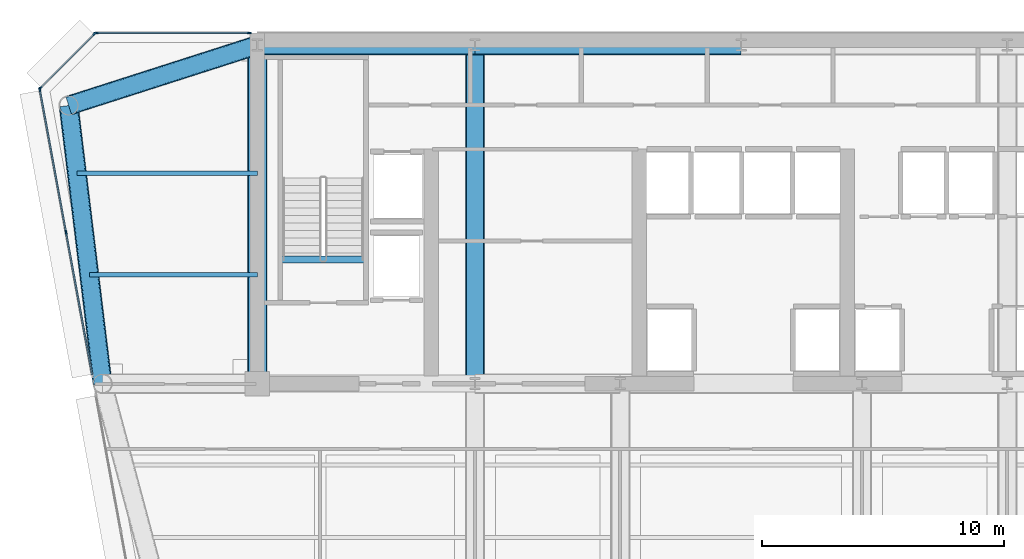
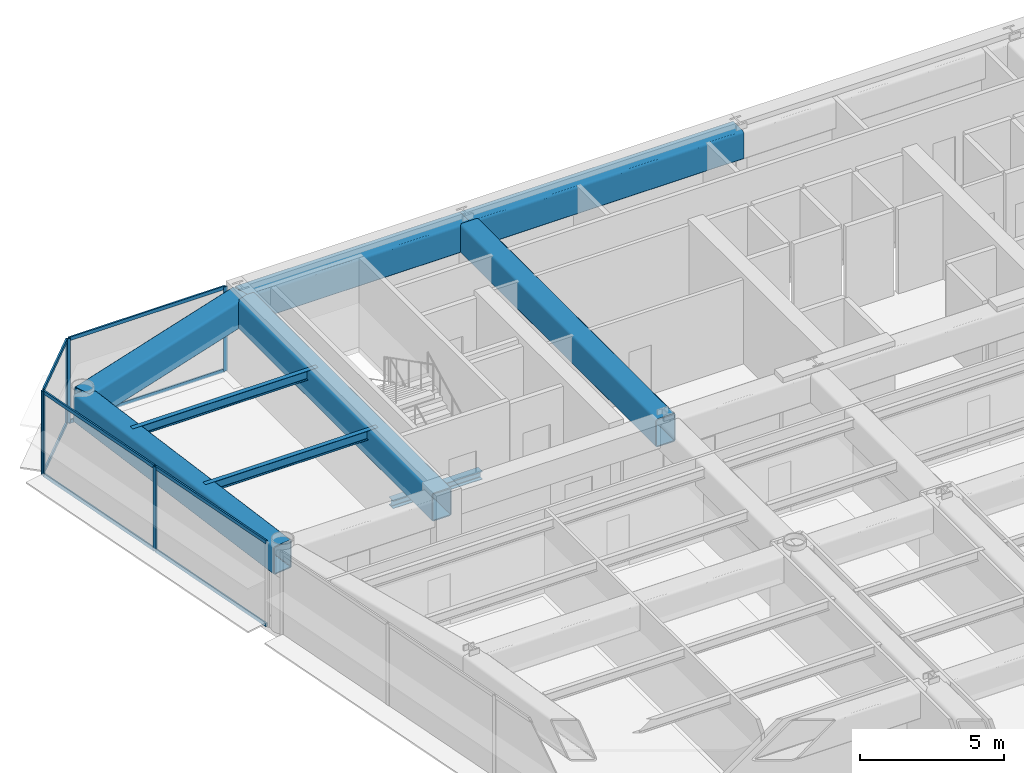
# One storey, part 7 of 16: 14 members, 9 beams, 3 elements without a shape of their own.
"""IFC4 building model written with IfcOpenShell, lengths in metres."""

from ifc_helpers import new_model, si_unit, direction, frame, origin, origin_2d, place, context, subcontext, project, spatial, rectangle, hollow_rectangle, i_section, extrude, source, transform, mapped, material, layer, layer_set, material_profile, profile_set, type_object, element, aggregate, save


model = new_model("IFC4")

# Units and contexts
model_context = context("Model", 3, precision=1e-05, world=origin(), true_north=direction((0.0, 1.0)))
body_context = subcontext(model_context, "Body", "Model", "MODEL_VIEW")
ifc_project = project(units=[si_unit("LENGTHUNIT", "METRE"), si_unit("AREAUNIT", "SQUARE_METRE"), si_unit("VOLUMEUNIT", "CUBIC_METRE"), si_unit("PLANEANGLEUNIT", "RADIAN"), si_unit("MASSUNIT", "GRAM", prefix="KILO")], contexts=[model_context])

# Site, building, storey
site_placement = place(None, origin())
site = spatial("IfcSite", under=ifc_project, at=site_placement, CompositionType="ELEMENT")
building_placement = place(site_placement, origin())
building = spatial("IfcBuilding", under=site, at=building_placement, Name="Vaeldorn Concourse Tower", CompositionType="ELEMENT")
storey_placement = place(building_placement, frame((0.0, 0.0, 203.199951171875)))
storey = spatial("IfcBuildingStorey", under=building, at=storey_placement, Name="L52", CompositionType="ELEMENT", Elevation=203.199951171875)

# Beams
ifc_material_1 = material(Name="Steel S355", Category="steel")
ifc_material_profile_1 = material_profile(ifc_material_1, i_section(OverallWidth=0.300048828125, OverallDepth=0.340087890625, WebThickness=0.011962890625, FlangeThickness=0.021484375, FilletRadius=0.027099609375, at=origin_2d()), Name="HEB 340")
ifc_profile_set_1 = profile_set([ifc_material_profile_1], Name="Steel S355")
beam_type_1 = type_object("IfcBeamType", Name="BM-ST-TRIM", PredefinedType="BEAM", material=ifc_profile_set_1)
shared_shape_1 = source(origin(), body_context, "Body", "SweptSolid", [
    extrude(i_section(OverallWidth=0.300048828125, OverallDepth=0.340087890625, WebThickness=0.011962890625, FlangeThickness=0.021484375, FilletRadius=0.027099609375, at=origin_2d()), origin(), (0.0, 0.0, 1.0), 3.590087890625),
])
beam_1_placement = place(storey_placement, frame((14.929931640625, 41.639892578125, -0.389892578125), z_axis=(1.0, 0.0, 0.0), x_axis=(0.0, 1.0, 0.0)))
element("IfcBeam", 1, at=beam_1_placement, inside=storey, type_object=beam_type_1, Name="Stair Landing Trimmer Beam ST-1 L52", PredefinedType="BEAM", context=body_context, shape_type="MappedRepresentation", body=[
    mapped(shared_shape_1, transform((0.0, 0.0, 0.0), scale=1.0)),
])
ifc_material_2 = material(Name="Steel S460", Category="steel")
ifc_material_profile_2 = material_profile(ifc_material_2, hollow_rectangle(XDim=0.800048828125, YDim=1.199951171875, WallThickness=0.044921875, InnerFilletRadius=0.044921875, OuterFilletRadius=0.090087890625, at=origin_2d()), Name="RHS 1200x800x45")
ifc_profile_set_2 = profile_set([ifc_material_profile_2], Name="Steel S460")
beam_type_2 = type_object("IfcBeamType", Name="BM-TG-RHS1200", PredefinedType="BEAM", material=ifc_profile_set_2)
shared_shape_2 = source(origin(), body_context, "Body", "SweptSolid", [
    extrude(hollow_rectangle(XDim=0.800048828125, YDim=1.199951171875, WallThickness=0.044921875, InnerFilletRadius=0.044921875, OuterFilletRadius=0.090087890625, at=origin_2d()), origin(), (0.0, 0.0, 1.0), 9.0),
])
beam_2_placement = place(storey_placement, frame((14.0, 50.5, 2.97998046875), z_axis=(1.0, 0.0, 0.0), x_axis=(0.0, 1.0, 0.0)))
element("IfcBeam", 2, at=beam_2_placement, inside=storey, type_object=beam_type_2, Name="Beam BM-L52-C-HC1-C-HC2", PredefinedType="BEAM", context=body_context, shape_type="MappedRepresentation", body=[
    mapped(shared_shape_2, transform((0.0, 0.0, 0.0), scale=1.0)),
])
shared_shape_3 = source(origin(), body_context, "Body", "SweptSolid", [
    extrude(hollow_rectangle(XDim=0.800048828125, YDim=1.199951171875, WallThickness=0.044921875, InnerFilletRadius=0.044921875, OuterFilletRadius=0.090087890625, at=origin_2d()), origin(), (0.0, 0.0, 1.0), 11.0),
])
beam_3_placement = place(storey_placement, frame((23.0, 50.5, 2.97998046875), z_axis=(1.0, 0.0, 0.0), x_axis=(0.0, 1.0, 0.0)))
element("IfcBeam", 3, at=beam_3_placement, inside=storey, type_object=beam_type_2, Name="Beam BM-L52-C-HC2-C-HC3", PredefinedType="BEAM", context=body_context, shape_type="MappedRepresentation", body=[
    mapped(shared_shape_3, transform((0.0, 0.0, 0.0), scale=1.0)),
])
shared_shape_4 = source(origin(), body_context, "Body", "SweptSolid", [
    extrude(hollow_rectangle(XDim=0.800048828125, YDim=1.199951171875, WallThickness=0.044921875, InnerFilletRadius=0.044921875, OuterFilletRadius=0.090087890625, at=origin_2d()), origin(), (0.0, 0.0, 1.0), 14.0),
])
for number, where, z_axis, x_axis, name in (
    (4, (14.0, 36.5, 2.97998046875), (0.0, 1.0, 0.0), (-1.0, 0.0, 0.0), "Beam BM-L52-C-FC1-C-HC1"),
    (5, (23.0, 36.5, 2.97998046875), (0.0, 1.0, 0.0), (-1.0, 0.0, 0.0), "Beam BM-L52-C-FC2-C-HC2"),
):
    element("IfcBeam", number, at=place(storey_placement, frame(where, z_axis=z_axis, x_axis=x_axis)), inside=storey, type_object=beam_type_2, Name=name, PredefinedType="BEAM", context=body_context, shape_type="MappedRepresentation", body=[
        mapped(shared_shape_4, transform((0.0, 0.0, 0.0), scale=1.0)),
    ])
shared_shape_5 = source(origin(), body_context, "Body", "SweptSolid", [
    extrude(hollow_rectangle(XDim=0.800048828125, YDim=1.199951171875, WallThickness=0.044921875, InnerFilletRadius=0.044921875, OuterFilletRadius=0.090087890625, at=origin_2d()), origin(), (0.0, 0.0, 1.0), 8.19091796875),
])
beam_4_placement = place(storey_placement, frame((6.199951171875, 48.0, 2.97998046875), z_axis=(0.952282843383, 0.305216949396, 0.0), x_axis=(-0.305216949396, 0.952282843383, 0.0)))
element("IfcBeam", 6, at=beam_4_placement, inside=storey, type_object=beam_type_2, Name="Beam BM-L52-C-NW1-C-HC1", PredefinedType="BEAM", context=body_context, shape_type="MappedRepresentation", body=[
    mapped(shared_shape_5, transform((0.0, 0.0, 0.0), scale=1.0)),
])
shared_shape_6 = source(origin(), body_context, "Body", "SweptSolid", [
    extrude(hollow_rectangle(XDim=0.800048828125, YDim=1.199951171875, WallThickness=0.044921875, InnerFilletRadius=0.044921875, OuterFilletRadius=0.090087890625, at=origin_2d()), origin(), (0.0, 0.0, 1.0), 11.5849609375),
])
beam_5_placement = place(storey_placement, frame((6.199951171875, 48.0, 2.97998046875), z_axis=(0.120859382899, -0.992669637677, 0.0), x_axis=(0.992669637677, 0.120859382899, 0.0)))
element("IfcBeam", 7, at=beam_5_placement, inside=storey, type_object=beam_type_2, Name="Beam BM-L52-C-NW1-C-NW2", PredefinedType="BEAM", context=body_context, shape_type="MappedRepresentation", body=[
    mapped(shared_shape_6, transform((0.0, 0.0, 0.0), scale=1.0)),
])
ifc_material_profile_3 = material_profile(ifc_material_1, i_section(OverallWidth=0.179931640625, OverallDepth=0.39990234375, WebThickness=0.008544921875, FlangeThickness=0.013427734375, FilletRadius=0.02099609375, at=origin_2d()), Name="IPE 400")
ifc_profile_set_3 = profile_set([ifc_material_profile_3], Name="Steel S355")
beam_type_3 = type_object("IfcBeamType", Name="BM-JS-IPE400", PredefinedType="JOIST", material=ifc_profile_set_3)
shared_shape_7 = source(origin(), body_context, "Body", "SweptSolid", [
    extrude(i_section(OverallWidth=0.179931640625, OverallDepth=0.39990234375, WebThickness=0.008544921875, FlangeThickness=0.013427734375, FilletRadius=0.02099609375, at=origin_2d()), origin(), (0.0, 0.0, 1.0), 6.94775390625),
])
beam_6_placement = place(storey_placement, frame((7.05224609375, 41.0, 3.380126953125), z_axis=(1.0, 0.0, 0.0), x_axis=(0.0, 1.0, 0.0)))
element("IfcBeam", 8, at=beam_6_placement, inside=storey, type_object=beam_type_3, Name="Beam JS-L52-NW-410", PredefinedType="JOIST", context=body_context, shape_type="MappedRepresentation", body=[
    mapped(shared_shape_7, transform((0.0, 0.0, 0.0), scale=1.0)),
])
shared_shape_8 = source(origin(), body_context, "Body", "SweptSolid", [
    extrude(i_section(OverallWidth=0.179931640625, OverallDepth=0.39990234375, WebThickness=0.008544921875, FlangeThickness=0.013427734375, FilletRadius=0.02099609375, at=origin_2d()), origin(), (0.0, 0.0, 1.0), 7.458984375),
])
beam_7_placement = place(storey_placement, frame((6.541015625, 45.199951171875, 3.380126953125), z_axis=(1.0, 0.0, 0.0), x_axis=(0.0, 1.0, 0.0)))
element("IfcBeam", 9, at=beam_7_placement, inside=storey, type_object=beam_type_3, Name="Beam JS-L52-NW-452", PredefinedType="JOIST", context=body_context, shape_type="MappedRepresentation", body=[
    mapped(shared_shape_8, transform((0.0, 0.0, 0.0), scale=1.0)),
])

# Curtain wall, members
ifc_material_3 = material(Name="Anodised Bronze Aluminium", Category="aluminium")
ifc_layer = layer(ifc_material_3, 0.18994140625)
ifc_layer_set = layer_set([ifc_layer], Name="Anodised Bronze Aluminium")
curtain_wall_type = type_object("IfcCurtainWallType", Name="CW-SYS-03", PredefinedType="NOTDEFINED", material=ifc_layer_set)
curtain_wall_1_placement = place(storey_placement, origin())
curtain_wall_1 = element("IfcCurtainWall", 10, at=curtain_wall_1_placement, inside=storey, type_object=curtain_wall_type, Name="Unitised Curtain Wall CW-L52-E10-1", PredefinedType="NOTDEFINED")
ifc_material_profile_4 = material_profile(ifc_material_3, rectangle(XDim=0.06494140625, YDim=0.14990234375, at=origin_2d()), Name="CWT 65x150")
ifc_profile_set_4 = profile_set([ifc_material_profile_4], Name="Anodised Bronze Aluminium")
member_type_1 = type_object("IfcMemberType", Name="CWT-BRONZE-150", PredefinedType="USERDEFINED", material=ifc_profile_set_4)
shared_shape_9 = source(origin(), body_context, "Body", "SweptSolid", [
    extrude(rectangle(XDim=0.06494140625, YDim=0.14990234375, at=origin_2d()), origin(), (0.0, 0.0, 1.0), 3.123046875),
])
member_1_placement = place(storey_placement, frame((7.254150390625, 50.9541015625, 0.032470703125), z_axis=(-0.707106781187, -0.707106781187, 0.0), x_axis=(0.707106781187, -0.707106781187, 0.0)))
member_1 = element("IfcMember", 11, at=member_1_placement, type_object=member_type_1, Name="CW-03 transom 1.1", ObjectType="TRANSOM", PredefinedType="USERDEFINED", context=body_context, shape_type="MappedRepresentation", body=[
    mapped(shared_shape_9, transform((0.0, 0.0, 0.0), scale=1.0)),
])
member_2_placement = place(storey_placement, frame((7.254150390625, 50.9541015625, 3.547607421875), z_axis=(-0.707106781187, -0.707106781187, 0.0), x_axis=(0.707106781187, -0.707106781187, 0.0)))
member_2 = element("IfcMember", 12, at=member_2_placement, type_object=member_type_1, Name="CW-03 transom 1.2", ObjectType="TRANSOM", PredefinedType="USERDEFINED", context=body_context, shape_type="MappedRepresentation", body=[
    mapped(shared_shape_9, transform((0.0, 0.0, 0.0), scale=1.0)),
])

curtain_wall_2_placement = place(storey_placement, origin())
curtain_wall_2 = element("IfcCurtainWall", 13, at=curtain_wall_2_placement, inside=storey, type_object=curtain_wall_type, Name="Unitised Curtain Wall CW-L52-E09-2", PredefinedType="NOTDEFINED")
ifc_material_profile_5 = material_profile(ifc_material_3, rectangle(XDim=0.06494140625, YDim=0.169921875, at=origin_2d()), Name="CWM 65x170")
ifc_profile_set_5 = profile_set([ifc_material_profile_5], Name="Anodised Bronze Aluminium")
member_type_2 = type_object("IfcMemberType", Name="CWM-BRONZE-170", PredefinedType="MULLION", material=ifc_profile_set_5)
shared_shape_10 = source(origin(), body_context, "Body", "SweptSolid", [
    extrude(rectangle(XDim=0.06494140625, YDim=0.169921875, at=origin_2d()), origin(), (0.0, 0.0, 1.0), 3.580078125),
])
member_3_placement = place(storey_placement, frame((13.672607421875, 51.0, 0.0), z_axis=(0.0, 0.0, 1.0), x_axis=(0.0, -1.0, 0.0)))
member_3 = element("IfcMember", 14, at=member_3_placement, type_object=member_type_2, Name="CW-03 mullion 1", PredefinedType="MULLION", context=body_context, shape_type="MappedRepresentation", body=[
    mapped(shared_shape_10, transform((0.0, 0.0, 0.0), scale=1.0)),
])
member_4_placement = place(storey_placement, frame((7.33251953125, 51.0, 0.0), z_axis=(0.0, 0.0, 1.0), x_axis=(0.0, -1.0, 0.0)))
member_4 = element("IfcMember", 15, at=member_4_placement, type_object=member_type_2, Name="CW-03 mullion 2", PredefinedType="MULLION", context=body_context, shape_type="MappedRepresentation", body=[
    mapped(shared_shape_10, transform((0.0, 0.0, 0.0), scale=1.0)),
])

# Member
member_5_placement = place(storey_placement, frame((7.277099609375, 50.97705078125, 0.0), z_axis=(0.0, 0.0, 1.0), x_axis=(0.707106781187, -0.707106781187, 0.0)))
member_5 = element("IfcMember", 16, at=member_5_placement, type_object=member_type_2, Name="CW-03 mullion 1", PredefinedType="MULLION", context=body_context, shape_type="MappedRepresentation", body=[
    mapped(shared_shape_10, transform((0.0, 0.0, 0.0), scale=1.0)),
])

member_6_placement = place(storey_placement, frame((5.02294921875, 48.722900390625, 0.0), z_axis=(0.0, 0.0, 1.0), x_axis=(0.707106781187, -0.707106781187, 0.0)))
member_6 = element("IfcMember", 17, at=member_6_placement, type_object=member_type_2, Name="CW-03 mullion 2", PredefinedType="MULLION", context=body_context, shape_type="MappedRepresentation", body=[
    mapped(shared_shape_10, transform((0.0, 0.0, 0.0), scale=1.0)),
])

aggregate(curtain_wall_1, [member_5, member_6, member_1, member_2])

# Curtain wall, members
curtain_wall_3_placement = place(storey_placement, origin())
curtain_wall_3 = element("IfcCurtainWall", 18, at=curtain_wall_3_placement, inside=storey, type_object=curtain_wall_type, Name="Unitised Curtain Wall CW-L52-E11-1", PredefinedType="NOTDEFINED")
member_7_placement = place(storey_placement, frame((5.005859375, 48.66796875, 0.0), z_axis=(0.0, 0.0, 1.0), x_axis=(0.983559459619, 0.180584576845, 0.0)))
member_7 = element("IfcMember", 19, at=member_7_placement, type_object=member_type_2, Name="CW-03 mullion 1", PredefinedType="MULLION", context=body_context, shape_type="MappedRepresentation", body=[
    mapped(shared_shape_10, transform((0.0, 0.0, 0.0), scale=1.0)),
])
member_8_placement = place(storey_placement, frame((6.091796875, 42.753662109375, 0.0), z_axis=(0.0, 0.0, 1.0), x_axis=(0.983559459619, 0.180584576845, 0.0)))
member_8 = element("IfcMember", 20, at=member_8_placement, type_object=member_type_2, Name="CW-03 mullion 2", PredefinedType="MULLION", context=body_context, shape_type="MappedRepresentation", body=[
    mapped(shared_shape_10, transform((0.0, 0.0, 0.0), scale=1.0)),
])

# Member
shared_shape_11 = source(origin(), body_context, "Body", "SweptSolid", [
    extrude(rectangle(XDim=0.06494140625, YDim=0.14990234375, at=origin_2d()), origin(), (0.0, 0.0, 1.0), 6.27490234375),
])
member_9_placement = place(storey_placement, frame((13.639892578125, 51.0, 0.032470703125), z_axis=(-1.0, 0.0, 0.0), x_axis=(0.0, -1.0, 0.0)))
member_9 = element("IfcMember", 21, at=member_9_placement, type_object=member_type_1, Name="CW-03 transom 1.1", ObjectType="TRANSOM", PredefinedType="USERDEFINED", context=body_context, shape_type="MappedRepresentation", body=[
    mapped(shared_shape_11, transform((0.0, 0.0, 0.0), scale=1.0)),
])

member_10_placement = place(storey_placement, frame((13.639892578125, 51.0, 3.547607421875), z_axis=(-1.0, 0.0, 0.0), x_axis=(0.0, -1.0, 0.0)))
member_10 = element("IfcMember", 22, at=member_10_placement, type_object=member_type_1, Name="CW-03 transom 1.2", ObjectType="TRANSOM", PredefinedType="USERDEFINED", context=body_context, shape_type="MappedRepresentation", body=[
    mapped(shared_shape_11, transform((0.0, 0.0, 0.0), scale=1.0)),
])

aggregate(curtain_wall_2, [member_3, member_4, member_9, member_10])

shared_shape_12 = source(origin(), body_context, "Body", "SweptSolid", [
    extrude(rectangle(XDim=0.06494140625, YDim=0.14990234375, at=origin_2d()), origin(), (0.0, 0.0, 1.0), 5.9482421875),
])
member_11_placement = place(storey_placement, frame((5.01171875, 48.635986328125, 0.032470703125), z_axis=(0.180597229094, -0.983557136542, 0.0), x_axis=(0.983557136542, 0.180597229094, 0.0)))
member_11 = element("IfcMember", 23, at=member_11_placement, type_object=member_type_1, Name="CW-03 transom 1.1", ObjectType="TRANSOM", PredefinedType="USERDEFINED", context=body_context, shape_type="MappedRepresentation", body=[
    mapped(shared_shape_12, transform((0.0, 0.0, 0.0), scale=1.0)),
])

member_12_placement = place(storey_placement, frame((5.01171875, 48.635986328125, 3.547607421875), z_axis=(0.180597229094, -0.983557136542, 0.0), x_axis=(0.983557136542, 0.180597229094, 0.0)))
member_12 = element("IfcMember", 24, at=member_12_placement, type_object=member_type_1, Name="CW-03 transom 1.2", ObjectType="TRANSOM", PredefinedType="USERDEFINED", context=body_context, shape_type="MappedRepresentation", body=[
    mapped(shared_shape_12, transform((0.0, 0.0, 0.0), scale=1.0)),
])

member_13_placement = place(storey_placement, frame((6.09765625, 42.7216796875, 0.032470703125), z_axis=(0.180597229094, -0.983557136542, 0.0), x_axis=(0.983557136542, 0.180597229094, 0.0)))
member_13 = element("IfcMember", 25, at=member_13_placement, type_object=member_type_1, Name="CW-03 transom 2.1", ObjectType="TRANSOM", PredefinedType="USERDEFINED", context=body_context, shape_type="MappedRepresentation", body=[
    mapped(shared_shape_12, transform((0.0, 0.0, 0.0), scale=1.0)),
])

member_14_placement = place(storey_placement, frame((6.09765625, 42.7216796875, 3.547607421875), z_axis=(0.180597229094, -0.983557136542, 0.0), x_axis=(0.983557136542, 0.180597229094, 0.0)))
member_14 = element("IfcMember", 26, at=member_14_placement, type_object=member_type_1, Name="CW-03 transom 2.2", ObjectType="TRANSOM", PredefinedType="USERDEFINED", context=body_context, shape_type="MappedRepresentation", body=[
    mapped(shared_shape_12, transform((0.0, 0.0, 0.0), scale=1.0)),
])

aggregate(curtain_wall_3, [member_7, member_8, member_11, member_12, member_13, member_14])

save(model, "model.ifc")
